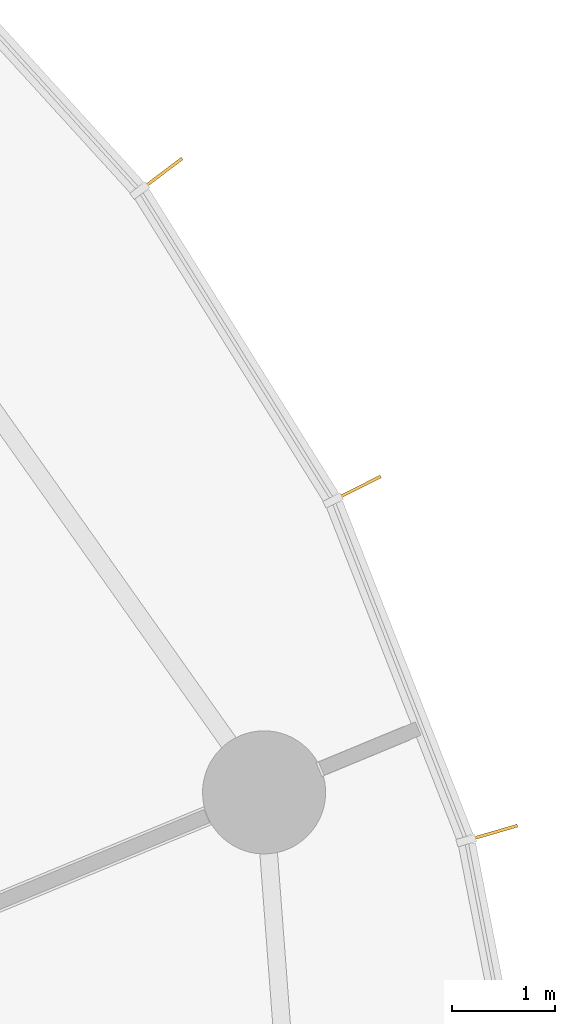
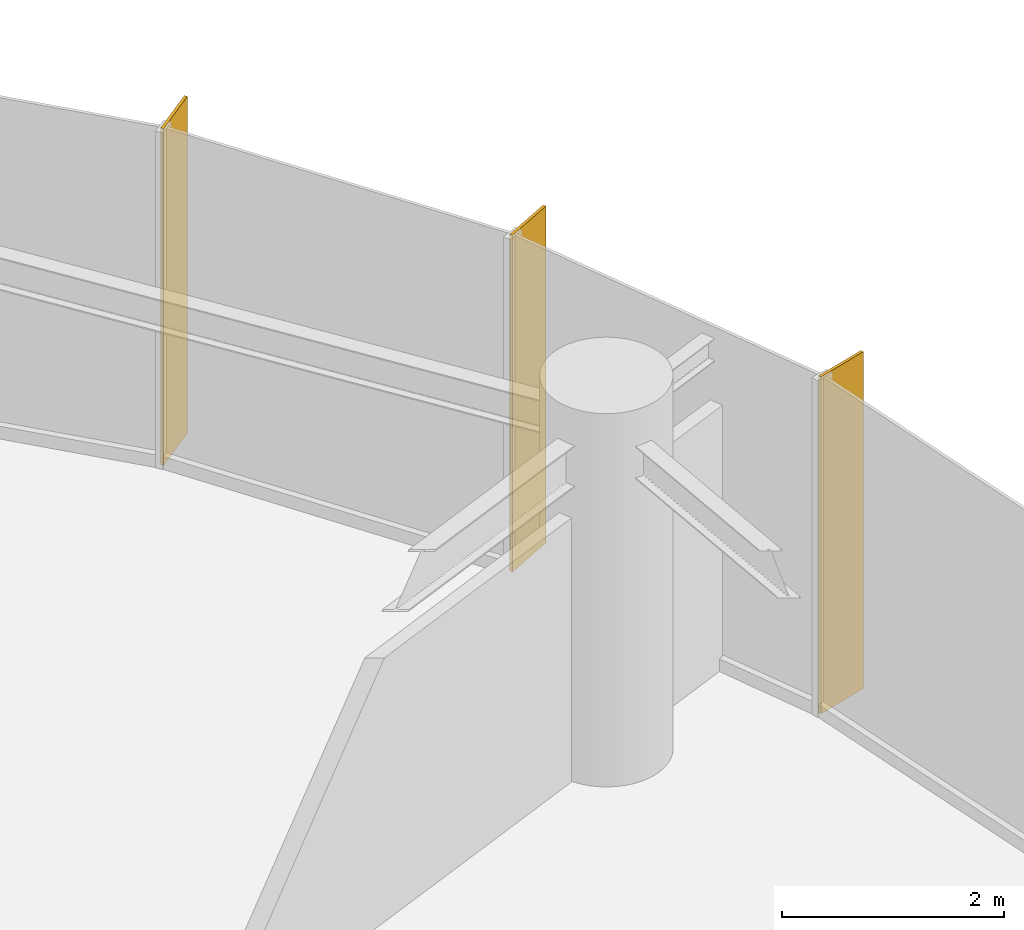
# One storey, part 17 of 17: 3 shading devices.
"""IFC4 building model written with IfcOpenShell, lengths in metres."""

from ifc_helpers import new_model, si_unit, direction, frame, origin, origin_2d, place, context, subcontext, project, spatial, rectangle, extrude, source, transform, mapped, material, material_profile, profile_set, type_object, element, save


model = new_model("IFC4")

# Units and contexts
model_context = context("Model", 3, precision=1e-05, world=origin(), true_north=direction((0.0, 1.0)))
body_context = subcontext(model_context, "Body", "Model", "MODEL_VIEW")
ifc_project = project(units=[si_unit("LENGTHUNIT", "METRE"), si_unit("AREAUNIT", "SQUARE_METRE"), si_unit("VOLUMEUNIT", "CUBIC_METRE"), si_unit("PLANEANGLEUNIT", "RADIAN"), si_unit("MASSUNIT", "GRAM", prefix="KILO")], contexts=[model_context])

# Site, building, storey
site_placement = place(None, origin())
site = spatial("IfcSite", under=ifc_project, at=site_placement, CompositionType="ELEMENT")
building_placement = place(site_placement, origin())
building = spatial("IfcBuilding", under=site, at=building_placement, Name="Spindrift Exchange Tower", CompositionType="ELEMENT")
storey_placement = place(building_placement, frame((0.0, 0.0, 104.39990234375)))
storey = spatial("IfcBuildingStorey", under=building, at=storey_placement, Name="L24", CompositionType="ELEMENT", Elevation=104.39990234375)

# Shading devices
ifc_material = material(Name="Bronze anodised aluminium", Category="aluminium")
ifc_material_profile = material_profile(ifc_material, rectangle(XDim=0.030029296875, YDim=0.550048828125, at=origin_2d()), Name="WIND FIN 30X550")
ifc_profile_set = profile_set([ifc_material_profile], Name="Bronze anodised aluminium")
shading_device_type = type_object("IfcShadingDeviceType", Name="WIND FIN 30X550", PredefinedType="USERDEFINED", material=ifc_profile_set)
shared_shape = source(origin(), body_context, "Body", "SweptSolid", [
    extrude(rectangle(XDim=0.030029296875, YDim=0.550048828125, at=origin_2d()), origin(), (0.0, 0.0, 1.0), 3.7001953125),
])
for number, where, z_axis, x_axis, name in (
    (1, (81.3466796875, 62.744384765625, 0.0), (0.0, 0.0, 1.0), (-0.448949423337, 0.893557169568, 0.0), "L24 wind fin 2"),
    (2, (79.4375, 65.804931640625, 0.0), (0.0, 0.0, 1.0), (-0.60364917416, 0.797250070264, 0.0), "L24 wind fin 3"),
    (3, (82.662841796875, 59.385498046875, 0.0), (0.0, 0.0, 1.0), (-0.279314563736, 0.96019965345, 0.0), "L24 wind fin 4"),
):
    element("IfcShadingDevice", number, at=place(storey_placement, frame(where, z_axis=z_axis, x_axis=x_axis)), inside=storey, type_object=shading_device_type, Name=name, ObjectType="FIN", PredefinedType="USERDEFINED", context=body_context, shape_type="MappedRepresentation", body=[
        mapped(shared_shape, transform((0.0, 0.0, 0.0), scale=1.0)),
    ])

save(model, "model.ifc")
